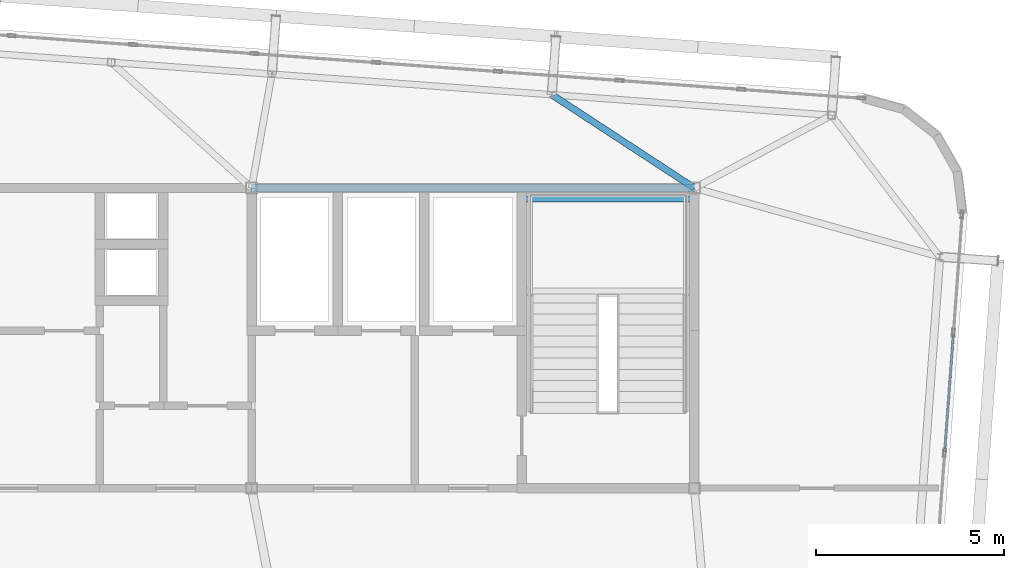
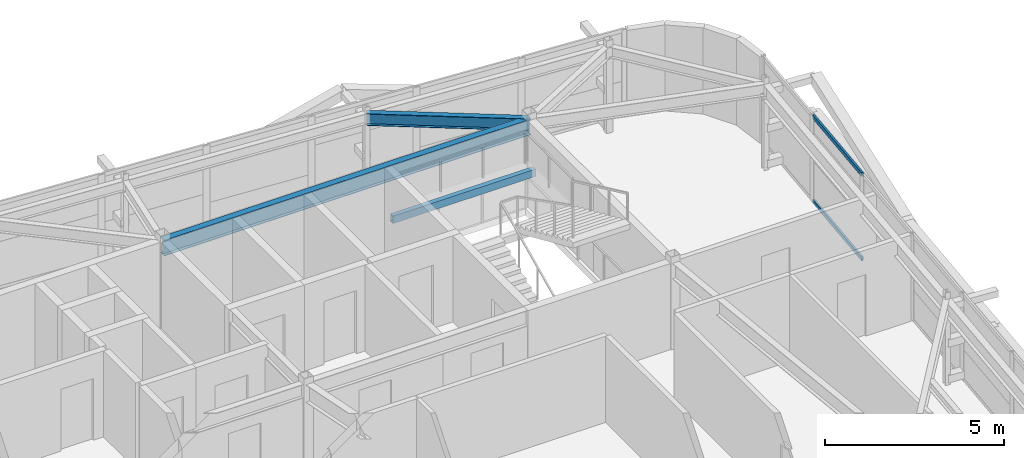
# One storey, part 24 of 42: 3 beams, 2 members, 1 element without a shape of its own.
"""IFC4 building model written with IfcOpenShell, lengths in metres."""

from ifc_helpers import new_model, si_unit, direction, frame, origin, origin_2d, place, context, subcontext, project, spatial, hollow_rectangle, i_section, extrude, source, transform, mapped, material, layer, layer_set, material_profile, profile_set, type_object, element, aggregate, save


model = new_model("IFC4")

# Units and contexts
model_context = context("Model", 3, precision=1e-05, world=origin(), true_north=direction((0.0, 1.0)))
body_context = subcontext(model_context, "Body", "Model", "MODEL_VIEW")
ifc_project = project(units=[si_unit("LENGTHUNIT", "METRE"), si_unit("AREAUNIT", "SQUARE_METRE"), si_unit("VOLUMEUNIT", "CUBIC_METRE"), si_unit("PLANEANGLEUNIT", "RADIAN"), si_unit("MASSUNIT", "GRAM", prefix="KILO")], contexts=[model_context])

# Site, building, storey
site_placement = place(None, origin())
site = spatial("IfcSite", under=ifc_project, at=site_placement, CompositionType="ELEMENT")
building_placement = place(site_placement, origin())
building = spatial("IfcBuilding", under=site, at=building_placement, Name="Taldren Reach Tower", CompositionType="ELEMENT")
storey_placement = place(building_placement, frame((0.0, 0.0, 214.550048828125)))
storey = spatial("IfcBuildingStorey", under=building, at=storey_placement, Name="L65", CompositionType="ELEMENT", Elevation=214.550048828125)

# Beams
ifc_material_1 = material(Name="Steel Gr 350 (350PLUS)", Category="steel")
ifc_material_profile_1 = material_profile(ifc_material_1, i_section(OverallWidth=0.208984375, OverallDepth=0.532958984375, WebThickness=0.01025390625, FlangeThickness=0.015625, at=origin_2d()), Name="530UB92.4")
ifc_profile_set_1 = profile_set([ifc_material_profile_1], Name="Steel Gr 350 (350PLUS)")
beam_type_1 = type_object("IfcBeamType", Name="BM-UB530A", PredefinedType="BEAM", material=ifc_profile_set_1)
shared_shape_1 = source(origin(), body_context, "Body", "SweptSolid", [
    extrude(i_section(OverallWidth=0.208984375, OverallDepth=0.532958984375, WebThickness=0.01025390625, FlangeThickness=0.015625, at=origin_2d()), origin(), (0.0, 0.0, 1.0), 11.800048828125),
])
beam_1_placement = place(storey_placement, frame((39.199951171875, 32.0, 2.663330078125), z_axis=(1.0, 0.0, 0.0), x_axis=(0.0, 1.0, 0.0)))
element("IfcBeam", 1, at=beam_1_placement, inside=storey, type_object=beam_type_1, Name="Core-spine girder L65-SP06", PredefinedType="BEAM", context=body_context, shape_type="MappedRepresentation", body=[
    mapped(shared_shape_1, transform((0.0, 0.0, 0.0), scale=1.0)),
])
ifc_material_profile_2 = material_profile(ifc_material_1, i_section(OverallWidth=0.177978515625, OverallDepth=0.406005859375, WebThickness=0.0078125, FlangeThickness=0.0126953125, at=origin_2d()), Name="410UB59.7")
ifc_profile_set_2 = profile_set([ifc_material_profile_2], Name="Steel Gr 350 (350PLUS)")
beam_type_2 = type_object("IfcBeamType", Name="BM-UB410", PredefinedType="BEAM", material=ifc_profile_set_2)
shared_shape_2 = source(origin(), body_context, "Body", "SweptSolid", [
    extrude(i_section(OverallWidth=0.177978515625, OverallDepth=0.406005859375, WebThickness=0.0078125, FlangeThickness=0.0126953125, at=origin_2d()), origin(), (0.0, 0.0, 1.0), 4.542236328125),
])
beam_2_placement = place(storey_placement, frame((51.0, 32.0, 2.72705078125), z_axis=(-0.836709129479, 0.547647544181, 0.0), x_axis=(-0.547647544181, -0.836709129479, 0.0)))
element("IfcBeam", 2, at=beam_2_placement, inside=storey, type_object=beam_type_2, Name="Primary floor girder B5-N5 L65", PredefinedType="BEAM", context=body_context, shape_type="MappedRepresentation", body=[
    mapped(shared_shape_2, transform((0.0, 0.0, 0.0), scale=1.0)),
])

# Curtain wall, members
ifc_material_2 = material(Name="Aluminium and Low-E Glass Unitised System", Category="aluminium")
ifc_layer = layer(ifc_material_2, 0.159912109375)
ifc_layer_set = layer_set([ifc_layer], Name="Aluminium and Low-E Glass Unitised System")
curtain_wall_type = type_object("IfcCurtainWallType", Name="CW-SYS-6", PredefinedType="NOTDEFINED", material=ifc_layer_set)
curtain_wall_placement = place(storey_placement, origin())
curtain_wall = element("IfcCurtainWall", 3, at=curtain_wall_placement, inside=storey, type_object=curtain_wall_type, Name="Unitised curtain wall CW-L65-E", PredefinedType="NOTDEFINED")
ifc_material_3 = material(Name="Anodised Aluminium 6063-T6", Category="aluminium")
ifc_material_profile_3 = material_profile(ifc_material_3, hollow_rectangle(XDim=0.06005859375, YDim=0.135009765625, WallThickness=0.00341796875, at=origin_2d()), Name="ALU-135x60x3.5RHS")
ifc_profile_set_3 = profile_set([ifc_material_profile_3], Name="Anodised Aluminium 6063-T6")
member_type = type_object("IfcMemberType", Name="CW-TRN-150", PredefinedType="USERDEFINED", material=ifc_profile_set_3)
shared_shape_3 = source(origin(), body_context, "Body", "SweptSolid", [
    extrude(hollow_rectangle(XDim=0.06005859375, YDim=0.135009765625, WallThickness=0.00341796875, at=origin_2d()), origin(), (0.0, 0.0, 1.0), 3.124755859375),
])
member_1_placement = place(storey_placement, frame((57.67138671875, 24.982666015625, 0.030029296875), z_axis=(0.073284589347, 0.997311069308, 0.0), x_axis=(-0.997311069308, 0.073284589347, 0.0)))
member_1 = element("IfcMember", 4, at=member_1_placement, type_object=member_type, Name="CW-6 transom 7.1", ObjectType="TRANSOM", PredefinedType="USERDEFINED", context=body_context, shape_type="MappedRepresentation", body=[
    mapped(shared_shape_3, transform((0.0, 0.0, 0.0), scale=1.0)),
])
member_2_placement = place(storey_placement, frame((57.67138671875, 24.982666015625, 2.89990234375), z_axis=(0.073284589347, 0.997311069308, 0.0), x_axis=(-0.997311069308, 0.073284589347, 0.0)))
member_2 = element("IfcMember", 5, at=member_2_placement, type_object=member_type, Name="CW-6 transom 7.2", ObjectType="TRANSOM", PredefinedType="USERDEFINED", context=body_context, shape_type="MappedRepresentation", body=[
    mapped(shared_shape_3, transform((0.0, 0.0, 0.0), scale=1.0)),
])
aggregate(curtain_wall, [member_1, member_2])

# Beam
ifc_material_4 = material(Name="Steel Gr 350 (C350L0)", Category="steel")
ifc_material_profile_4 = material_profile(ifc_material_4, hollow_rectangle(XDim=0.14990234375, YDim=0.25, WallThickness=0.009033203125, at=origin_2d()), Name="250x150x9.0RHS")
ifc_profile_set_4 = profile_set([ifc_material_profile_4], Name="Steel Gr 350 (C350L0)")
beam_type_3 = type_object("IfcBeamType", Name="LN-RHS250", PredefinedType="LINTEL", material=ifc_profile_set_4)
shared_shape_4 = source(origin(), body_context, "Body", "SweptSolid", [
    extrude(hollow_rectangle(XDim=0.14990234375, YDim=0.25, WallThickness=0.009033203125, at=origin_2d()), origin(), (0.0, 0.0, 1.0), 4.60009765625),
])
beam_3_placement = place(storey_placement, frame((46.39990234375, 31.699951171875, 1.27001953125), z_axis=(1.0, 0.0, 0.0), x_axis=(0.0, 1.0, 0.0)))
element("IfcBeam", 6, at=beam_3_placement, inside=storey, type_object=beam_type_3, Name="Stair half-landing support beam ST2-L65-2", PredefinedType="LINTEL", context=body_context, shape_type="MappedRepresentation", body=[
    mapped(shared_shape_4, transform((0.0, 0.0, 0.0), scale=1.0)),
])

save(model, "model.ifc")
